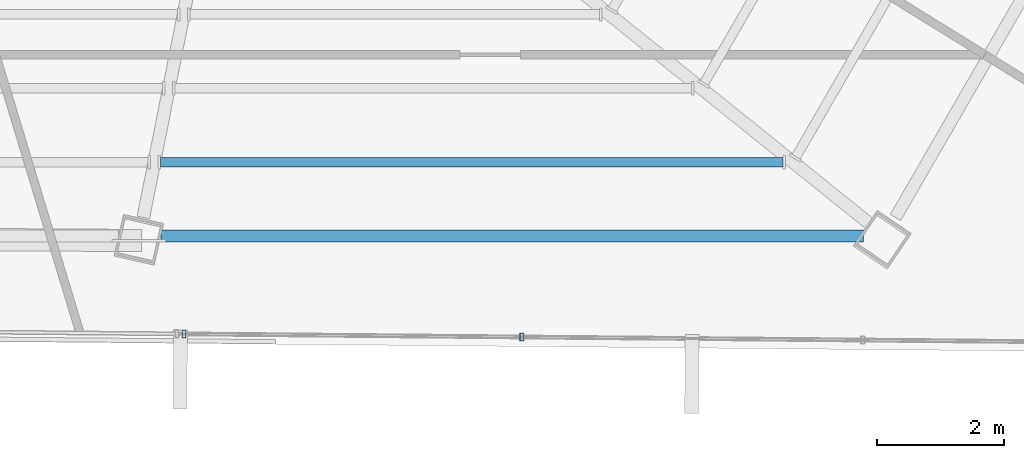
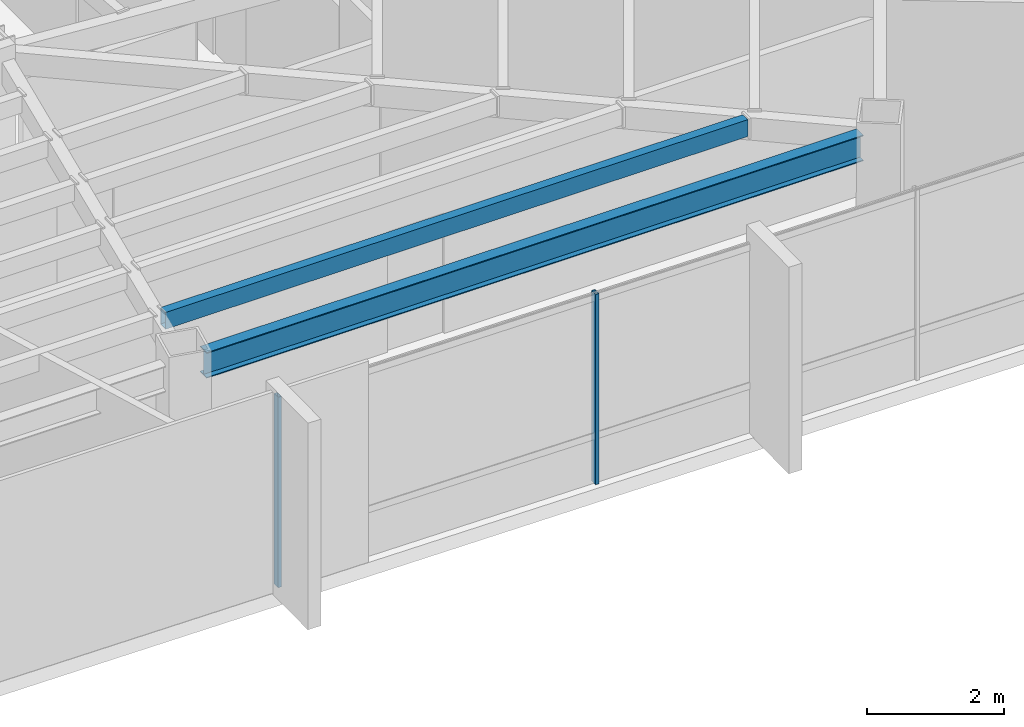
# One storey, part 21 of 47: 2 beams, 2 members, 1 element without a shape of its own.
"""IFC4 building model written with IfcOpenShell, lengths in metres."""

from ifc_helpers import new_model, si_unit, direction, frame, origin, origin_2d, place, context, subcontext, project, spatial, hollow_rectangle, i_section, extrude, source, transform, mapped, material, material_profile, profile_set, type_object, type_shapes, element, aggregate, save


model = new_model("IFC4")

# Units and contexts
model_context = context("Model", 3, precision=1e-05, world=origin(), true_north=direction((0.0, 1.0)))
body_context = subcontext(model_context, "Body", "Model", "MODEL_VIEW")
ifc_project = project(units=[si_unit("LENGTHUNIT", "METRE"), si_unit("AREAUNIT", "SQUARE_METRE"), si_unit("VOLUMEUNIT", "CUBIC_METRE"), si_unit("PLANEANGLEUNIT", "RADIAN"), si_unit("MASSUNIT", "GRAM", prefix="KILO")], contexts=[model_context])

# Site, building, storey
site_placement = place(None, origin())
site = spatial("IfcSite", under=ifc_project, at=site_placement, CompositionType="ELEMENT")
building_placement = place(site_placement, origin())
building = spatial("IfcBuilding", under=site, at=building_placement, Name="Caelisora Broadcast Tower", CompositionType="ELEMENT")
storey_placement = place(building_placement, frame((0.0, 0.0, 248.10009765625)))
storey = spatial("IfcBuildingStorey", under=building, at=storey_placement, Name="L65", CompositionType="ELEMENT", Elevation=248.10009765625)

# Beams
ifc_material_1 = material(Name="Steel Grade 350 (AS/NZS 3679.1)", Category="steel")
ifc_material_profile_1 = material_profile(ifc_material_1, i_section(OverallWidth=0.19091796875, OverallDepth=0.46044921875, WebThickness=0.010009765625, FlangeThickness=0.01611328125, at=origin_2d()), Name="Steel Grade 350 (AS/NZS 3679.1)")
ifc_profile_set_1 = profile_set([ifc_material_profile_1], Name="Steel Grade 350 (AS/NZS 3679.1)")
beam_type_1 = type_object("IfcBeamType", Name="PG06", PredefinedType="BEAM", material=ifc_profile_set_1)
shared_shape_1 = source(origin(), body_context, "Body", "SweptSolid", [
    extrude(i_section(OverallWidth=0.19091796875, OverallDepth=0.46044921875, WebThickness=0.010009765625, FlangeThickness=0.01611328125, at=origin_2d()), origin(), (0.0, 0.0, 1.0), 11.091552734375),
])
type_shapes(beam_type_1, [shared_shape_1])
beam_1_placement = place(storey_placement, frame((44.2216796875, 9.23974609375, 3.169677734375), z_axis=(1.0, 0.0, 0.0), x_axis=(0.0, 1.0, 0.0)))
element("IfcBeam", 1, at=beam_1_placement, inside=storey, type_object=beam_type_1, Name="L65 beam PG06", PredefinedType="BEAM", context=body_context, shape_type="MappedRepresentation", body=[
    mapped(shared_shape_1, transform((0.0, 0.0, 0.0), scale=1.0)),
])
ifc_material_2 = material(Name="Steel Grade 350 (AS/NZS 1163 C350L0)", Category="steel")
ifc_material_profile_2 = material_profile(ifc_material_2, hollow_rectangle(XDim=0.14990234375, YDim=0.300048828125, WallThickness=0.010009765625, at=origin_2d()), Name="Steel Grade 350 (AS/NZS 1163 C350L0)")
ifc_profile_set_2 = profile_set([ifc_material_profile_2], Name="Steel Grade 350 (AS/NZS 1163 C350L0)")
beam_type_2 = type_object("IfcBeamType", Name="SB05", PredefinedType="JOIST", material=ifc_profile_set_2)
shared_shape_2 = source(origin(), body_context, "Body", "SweptSolid", [
    extrude(hollow_rectangle(XDim=0.14990234375, YDim=0.300048828125, WallThickness=0.010009765625, at=origin_2d()), origin(), (0.0, 0.0, 1.0), 9.8310546875),
])
type_shapes(beam_type_2, [shared_shape_2])
beam_2_placement = place(storey_placement, frame((44.21337890625, 10.405517578125, 3.25), z_axis=(1.0, 0.0, 0.0), x_axis=(0.0, 1.0, 0.0)))
element("IfcBeam", 2, at=beam_2_placement, inside=storey, type_object=beam_type_2, Name="L65 beam SB05", PredefinedType="JOIST", context=body_context, shape_type="MappedRepresentation", body=[
    mapped(shared_shape_2, transform((0.0, 0.0, 0.0), scale=1.0)),
])

# Curtain wall, members
ifc_material_3 = material(Name="Unitised Aluminium and Low-E Glass Curtain Wall", Category="glass")
curtain_wall_type = type_object("IfcCurtainWallType", Name="CW-Z5", PredefinedType="NOTDEFINED", material=ifc_material_3)
curtain_wall_placement = place(storey_placement, origin())
curtain_wall = element("IfcCurtainWall", 3, at=curtain_wall_placement, inside=storey, type_object=curtain_wall_type, Name="L65 curtain wall CW-Z5", PredefinedType="NOTDEFINED")
ifc_material_4 = material(Name="Aluminium 6063-T6 Anodised Terracotta Bronze", Category="aluminium")
ifc_material_profile_3 = material_profile(ifc_material_4, hollow_rectangle(XDim=0.06005859375, YDim=0.1201171875, WallThickness=0.0029296875, at=origin_2d()), Name="Aluminium 6063-T6 Anodised Terracotta Bronze")
ifc_profile_set_3 = profile_set([ifc_material_profile_3], Name="Aluminium 6063-T6 Anodised Terracotta Bronze")
member_type = type_object("IfcMemberType", Name="CWM-04", PredefinedType="MULLION", material=ifc_profile_set_3)
shared_shape_3 = source(origin(), body_context, "Body", "SweptSolid", [
    extrude(hollow_rectangle(XDim=0.06005859375, YDim=0.1201171875, WallThickness=0.0029296875, at=origin_2d()), origin(), (0.0, 0.0, 1.0), 3.39990234375),
])
type_shapes(member_type, [shared_shape_3])
member_1_placement = place(storey_placement, frame((49.91943359375, 7.644287109375, 0.0), z_axis=(0.0, 0.0, 1.0), x_axis=(1.0, 0.0, 0.0)))
member_1 = element("IfcMember", 4, at=member_1_placement, type_object=member_type, Name="L65-CW-B05 mullion #2", PredefinedType="MULLION", context=body_context, shape_type="MappedRepresentation", body=[
    mapped(shared_shape_3, transform((0.0, 0.0, 0.0), scale=1.0)),
])
member_2_placement = place(storey_placement, frame((44.583984375, 7.692626953125, 0.0), z_axis=(0.0, 0.0, 1.0), x_axis=(1.0, 0.0, 0.0)))
member_2 = element("IfcMember", 5, at=member_2_placement, type_object=member_type, Name="L65-CW-B05 mullion #3", PredefinedType="MULLION", context=body_context, shape_type="MappedRepresentation", body=[
    mapped(shared_shape_3, transform((0.0, 0.0, 0.0), scale=1.0)),
])
aggregate(curtain_wall, [member_1, member_2])

save(model, "model.ifc")
